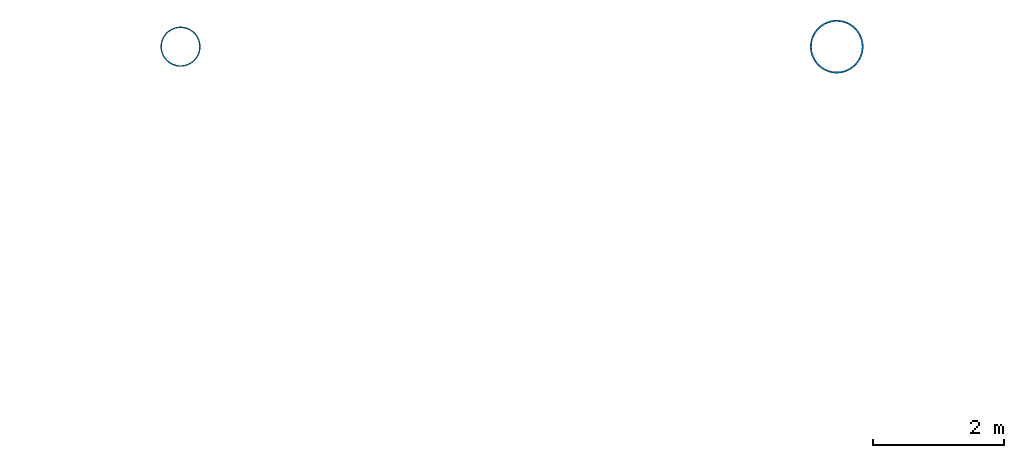
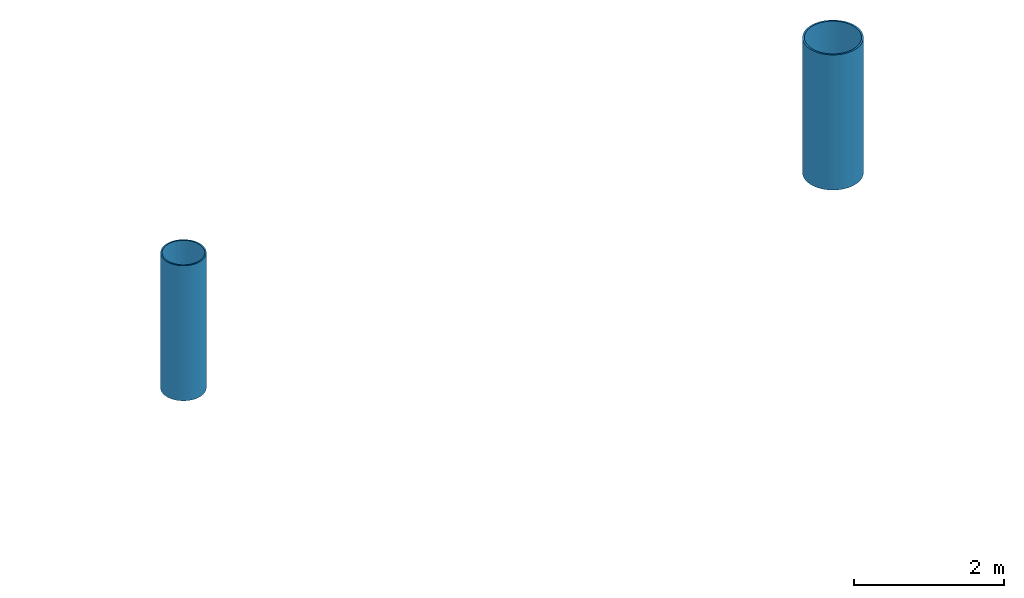
# One storey, part 9 of 137: 2 columns.
"""IFC4 building model written with IfcOpenShell, lengths in metres."""

from ifc_helpers import new_model, si_unit, direction, frame, origin, origin_2d, place, context, subcontext, project, spatial, hollow_circle, extrude, material, material_profile, profile_set, type_object, element, save


model = new_model("IFC4")

# Units and contexts
model_context = context("Model", 3, precision=1e-05, world=origin(), true_north=direction((0.0, 1.0)))
body_context = subcontext(model_context, "Body", "Model", "MODEL_VIEW")
ifc_project = project(units=[si_unit("LENGTHUNIT", "METRE"), si_unit("AREAUNIT", "SQUARE_METRE"), si_unit("VOLUMEUNIT", "CUBIC_METRE"), si_unit("PLANEANGLEUNIT", "RADIAN"), si_unit("MASSUNIT", "GRAM", prefix="KILO")], contexts=[model_context])

# Site, building, storey
site_placement = place(None, origin())
site = spatial("IfcSite", under=ifc_project, at=site_placement, CompositionType="ELEMENT")
building_placement = place(site_placement, origin())
building = spatial("IfcBuilding", under=site, at=building_placement, Name="Khorjan Park Terminus", CompositionType="ELEMENT")
storey_placement = place(building_placement, frame((0.0, 0.0, 11.4)))
storey = spatial("IfcBuildingStorey", under=building, at=storey_placement, Name="L02", CompositionType="ELEMENT", Elevation=11.4)

# Columns
ifc_material = material(Name="Steel S355", Category="steel")
ifc_material_profile_1 = material_profile(ifc_material, hollow_circle(Radius=0.305, WallThickness=0.02, at=origin_2d()), Name="CHS 610x20")
ifc_profile_set_1 = profile_set([ifc_material_profile_1], Name="Steel S355")
column_type_1 = type_object("IfcColumnType", Name="COL-SH610E", PredefinedType="COLUMN", material=ifc_profile_set_1)
column_1_placement = place(storey_placement, frame((148.0, 154.0, 0.0), z_axis=(0.0, 0.0, 1.0), x_axis=(1.0, 0.0, 0.0)))
element("IfcColumn", 1, at=column_1_placement, inside=storey, type_object=column_type_1, Name="Structural column SC-61 (L02 #213)", PredefinedType="COLUMN", context=body_context, shape_type="SweptSolid", body=[
    extrude(hollow_circle(Radius=0.305, WallThickness=0.02, at=origin_2d()), origin(), (0.0, 0.0, 1.0), 2.2),
])
ifc_material_profile_2 = material_profile(ifc_material, hollow_circle(Radius=0.4065, WallThickness=0.025, at=origin_2d()), Name="CHS 813x25")
ifc_profile_set_2 = profile_set([ifc_material_profile_2], Name="Steel S355")
column_type_2 = type_object("IfcColumnType", Name="COL-SH813E", PredefinedType="COLUMN", material=ifc_profile_set_2)
column_2_placement = place(storey_placement, frame((158.0, 154.0, 0.0), z_axis=(0.0, 0.0, 1.0), x_axis=(1.0, 0.0, 0.0)))
element("IfcColumn", 2, at=column_2_placement, inside=storey, type_object=column_type_2, Name="Structural column SC-81 (L02 #225)", PredefinedType="COLUMN", context=body_context, shape_type="SweptSolid", body=[
    extrude(hollow_circle(Radius=0.4065, WallThickness=0.025, at=origin_2d()), origin(), (0.0, 0.0, 1.0), 2.2),
])

save(model, "model.ifc")
